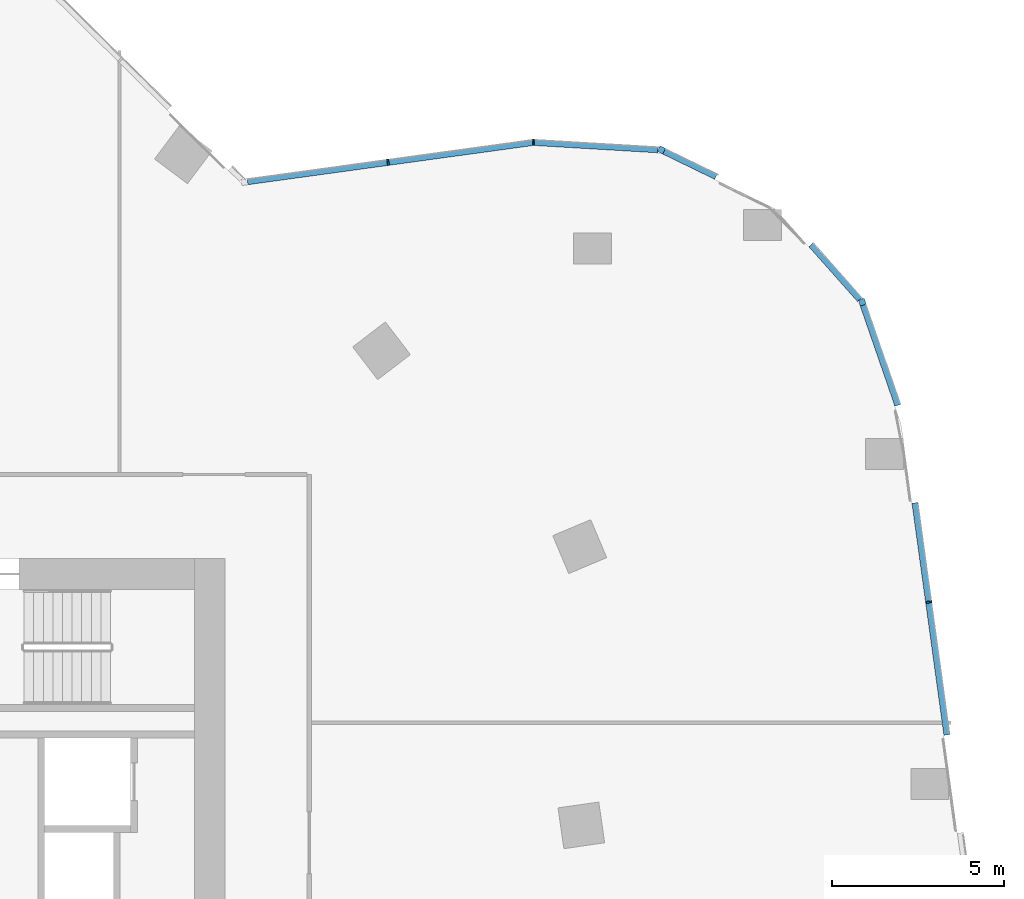
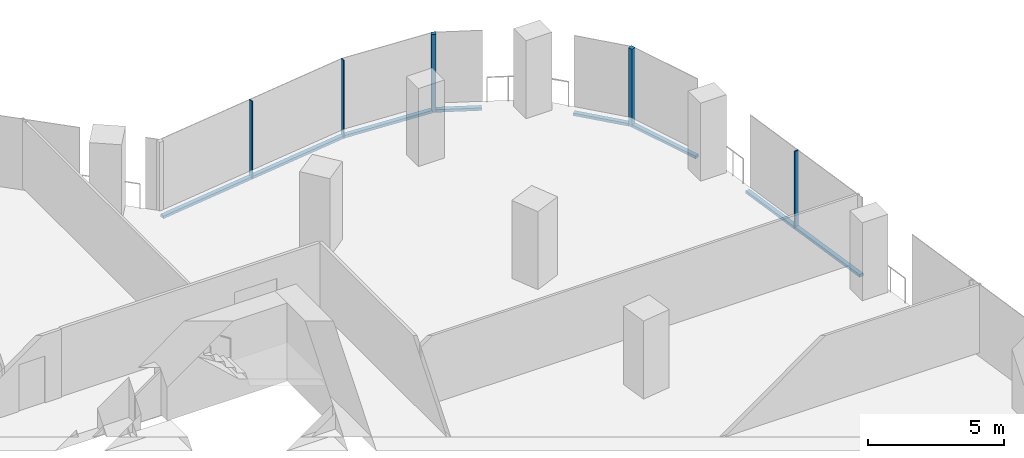
# One storey, part 11 of 29: 11 members, 6 elements without a shape of their own.
"""IFC4 building model written with IfcOpenShell, lengths in metres."""

from ifc_helpers import new_model, si_unit, direction, frame, origin, origin_2d, place, context, subcontext, project, spatial, rectangle, extrude, material, material_profile, profile_set, type_object, element, aggregate, save


model = new_model("IFC4")

# Units and contexts
model_context = context("Model", 3, precision=1e-05, world=origin(), true_north=direction((0.0, 1.0)))
body_context = subcontext(model_context, "Body", "Model", "MODEL_VIEW")
ifc_project = project(units=[si_unit("LENGTHUNIT", "METRE"), si_unit("AREAUNIT", "SQUARE_METRE"), si_unit("VOLUMEUNIT", "CUBIC_METRE"), si_unit("PLANEANGLEUNIT", "RADIAN"), si_unit("MASSUNIT", "GRAM", prefix="KILO")], contexts=[model_context])

# Site, building, storey
site_placement = place(None, origin())
site = spatial("IfcSite", under=ifc_project, at=site_placement, CompositionType="ELEMENT")
building_placement = place(site_placement, origin())
building = spatial("IfcBuilding", under=site, at=building_placement, Name="Orlundy Tower", CompositionType="ELEMENT")
storey_placement = place(building_placement, frame((0.0, 0.0, 188.60009765625)))
storey = spatial("IfcBuildingStorey", under=building, at=storey_placement, Name="L49", CompositionType="ELEMENT", Elevation=188.60009765625)

# Curtain wall, member
ifc_material_1 = material(Name="Aluminium bronze anodised", Category="aluminium")
curtain_wall_type = type_object("IfcCurtainWallType", Name="CW1 wall", PredefinedType="NOTDEFINED", material=ifc_material_1)
curtain_wall_1_placement = place(storey_placement, origin())
curtain_wall_1 = element("IfcCurtainWall", 1, at=curtain_wall_1_placement, inside=storey, type_object=curtain_wall_type, Name="CW1 run 08", PredefinedType="NOTDEFINED")
ifc_material_2 = material(Name="Aluminium bronze anodised", Category="aluminium")
ifc_material_profile_1 = material_profile(ifc_material_2, rectangle(XDim=0.179931640625, YDim=0.179931640625, at=origin_2d()), Name="CW1 corner post 180x180")
ifc_profile_set_1 = profile_set([ifc_material_profile_1], Name="Aluminium bronze anodised")
member_type_1 = type_object("IfcMemberType", Name="CW1 corner post 180x180", PredefinedType="MULLION", material=ifc_profile_set_1)
member_1_placement = place(storey_placement, frame((31.708251953125, 23.90673828125, -0.420166015625), z_axis=(0.0, 0.0, 1.0), x_axis=(0.43725937423, 0.89933544334, 0.0)))
member_1 = element("IfcMember", 2, at=member_1_placement, type_object=member_type_1, Name="CW1 mullion 29", PredefinedType="MULLION", context=body_context, shape_type="SweptSolid", body=[
    extrude(rectangle(XDim=0.179931640625, YDim=0.179931640625, at=origin_2d()), origin(), (0.0, 0.0, 1.0), 3.5),
])

curtain_wall_2_placement = place(storey_placement, origin())
curtain_wall_2 = element("IfcCurtainWall", 3, at=curtain_wall_2_placement, inside=storey, type_object=curtain_wall_type, Name="CW1 run 010", PredefinedType="NOTDEFINED")
member_2_placement = place(storey_placement, frame((37.55810546875, 19.471435546875, -0.420166015625), z_axis=(0.0, 0.0, 1.0), x_axis=(0.945034174317, 0.32697157273, 0.0)))
member_2 = element("IfcMember", 4, at=member_2_placement, type_object=member_type_1, Name="CW1 mullion 31", PredefinedType="MULLION", context=body_context, shape_type="SweptSolid", body=[
    extrude(rectangle(XDim=0.179931640625, YDim=0.179931640625, at=origin_2d()), origin(), (0.0, 0.0, 1.0), 3.5),
])

curtain_wall_3_placement = place(storey_placement, origin())
curtain_wall_3 = element("IfcCurtainWall", 5, at=curtain_wall_3_placement, inside=storey, type_object=curtain_wall_type, Name="CW1 run 06", PredefinedType="NOTDEFINED")
ifc_material_3 = material(Name="Aluminium bronze anodised", Category="aluminium")
ifc_material_profile_2 = material_profile(ifc_material_3, rectangle(XDim=0.179931640625, YDim=0.050048828125, at=origin_2d()), Name="CW1 mullion 50x180")
ifc_profile_set_2 = profile_set([ifc_material_profile_2], Name="Aluminium bronze anodised")
member_type_2 = type_object("IfcMemberType", Name="CW1 mullion 50x180", PredefinedType="MULLION", material=ifc_profile_set_2)
member_3_placement = place(storey_placement, frame((23.746337890625, 23.546142578125, -0.420166015625), z_axis=(0.0, 0.0, 1.0), x_axis=(-0.136185270904, 0.990683386349, 0.0)))
member_3 = element("IfcMember", 6, at=member_3_placement, type_object=member_type_2, Name="CW1 mullion 27", PredefinedType="MULLION", context=body_context, shape_type="SweptSolid", body=[
    extrude(rectangle(XDim=0.179931640625, YDim=0.050048828125, at=origin_2d()), origin(), (0.0, 0.0, 1.0), 3.5),
])

curtain_wall_4_placement = place(storey_placement, origin())
curtain_wall_4 = element("IfcCurtainWall", 7, at=curtain_wall_4_placement, inside=storey, type_object=curtain_wall_type, Name="CW1 run 07", PredefinedType="NOTDEFINED")
member_4_placement = place(storey_placement, frame((27.9814453125, 24.12841796875, -0.420166015625), z_axis=(0.0, 0.0, 1.0), x_axis=(-0.038600530581, 0.9992547218, 0.0)))
member_4 = element("IfcMember", 8, at=member_4_placement, type_object=member_type_2, Name="CW1 mullion 28", PredefinedType="MULLION", context=body_context, shape_type="SweptSolid", body=[
    extrude(rectangle(XDim=0.179931640625, YDim=0.050048828125, at=origin_2d()), origin(), (0.0, 0.0, 1.0), 3.5),
])

curtain_wall_5_placement = place(storey_placement, origin())
curtain_wall_5 = element("IfcCurtainWall", 9, at=curtain_wall_5_placement, inside=storey, type_object=curtain_wall_type, Name="CW1 run 011", PredefinedType="NOTDEFINED")
member_5_placement = place(storey_placement, frame((39.49560546875, 10.733154296875, -0.420166015625), z_axis=(0.0, 0.0, 1.0), x_axis=(0.990669519619, 0.13628610677, 0.0)))
member_5 = element("IfcMember", 10, at=member_5_placement, type_object=member_type_2, Name="CW1 mullion 33", PredefinedType="MULLION", context=body_context, shape_type="SweptSolid", body=[
    extrude(rectangle(XDim=0.179931640625, YDim=0.050048828125, at=origin_2d()), origin(), (0.0, 0.0, 1.0), 3.5),
])

# Member
ifc_material_4 = material(Name="Aluminium bronze anodised", Category="aluminium")
ifc_material_profile_3 = material_profile(ifc_material_4, rectangle(XDim=0.179931640625, YDim=0.1201171875, at=origin_2d()), Name="CW1 transom 180x120")
ifc_profile_set_3 = profile_set([ifc_material_profile_3], Name="Aluminium bronze anodised")
member_type_3 = type_object("IfcMemberType", Name="CW1 transom 180x120", PredefinedType="USERDEFINED", material=ifc_profile_set_3)
member_6_placement = place(storey_placement, frame((19.65283203125, 22.9833984375, -0.360107421875), z_axis=(0.990681394628, 0.136199758946, 0.0), x_axis=(-0.136199758946, 0.990681394628, 0.0)))
member_6 = element("IfcMember", 11, at=member_6_placement, type_object=member_type_3, Name="CW1 transom", ObjectType="TRANSOM", PredefinedType="USERDEFINED", context=body_context, shape_type="SweptSolid", body=[
    extrude(rectangle(XDim=0.179931640625, YDim=0.1201171875, at=origin_2d()), origin(), (0.0, 0.0, 1.0), 8.3818359375),
])

aggregate(curtain_wall_3, [member_3, member_6])

member_7_placement = place(storey_placement, frame((28.006591796875, 24.126953125, -0.360107421875), z_axis=(0.998236396732, -0.059364098912, 0.0), x_axis=(0.059364098912, 0.998236396732, 0.0)))
member_7 = element("IfcMember", 12, at=member_7_placement, type_object=member_type_3, Name="CW1 transom", ObjectType="TRANSOM", PredefinedType="USERDEFINED", context=body_context, shape_type="SweptSolid", body=[
    extrude(rectangle(XDim=0.179931640625, YDim=0.1201171875, at=origin_2d()), origin(), (0.0, 0.0, 1.0), 3.61083984375),
])

aggregate(curtain_wall_4, [member_4, member_7])

member_8_placement = place(storey_placement, frame((31.7890625, 23.867431640625, -0.360107421875), z_axis=(0.899366268242, -0.437195969273, 0.0), x_axis=(0.437195969273, 0.899366268242, 0.0)))
member_8 = element("IfcMember", 13, at=member_8_placement, type_object=member_type_3, Name="CW1 transom", ObjectType="TRANSOM", PredefinedType="USERDEFINED", context=body_context, shape_type="SweptSolid", body=[
    extrude(rectangle(XDim=0.179931640625, YDim=0.1201171875, at=origin_2d()), origin(), (0.0, 0.0, 1.0), 1.681396484375),
])

aggregate(curtain_wall_1, [member_1, member_8])

# Curtain wall, member
curtain_wall_6_placement = place(storey_placement, origin())
curtain_wall_6 = element("IfcCurtainWall", 14, at=curtain_wall_6_placement, inside=storey, type_object=curtain_wall_type, Name="CW1 run 09", PredefinedType="NOTDEFINED")
member_9_placement = place(storey_placement, frame((36.0693359375, 21.149169921875, -0.360107421875), z_axis=(0.663756302849, -0.747948908969, 0.0), x_axis=(0.747948908969, 0.663756302849, 0.0)))
member_9 = element("IfcMember", 15, at=member_9_placement, type_object=member_type_3, Name="CW1 transom", ObjectType="TRANSOM", PredefinedType="USERDEFINED", context=body_context, shape_type="SweptSolid", body=[
    extrude(rectangle(XDim=0.179931640625, YDim=0.1201171875, at=origin_2d()), origin(), (0.0, 0.0, 1.0), 2.145751953125),
])
aggregate(curtain_wall_6, [member_9])

# Member
member_10_placement = place(storey_placement, frame((37.587646484375, 19.38623046875, -0.360107421875), z_axis=(0.326980163156, -0.945031202079, 0.0), x_axis=(0.945031202079, 0.326980163156, 0.0)))
member_10 = element("IfcMember", 16, at=member_10_placement, type_object=member_type_3, Name="CW1 transom", ObjectType="TRANSOM", PredefinedType="USERDEFINED", context=body_context, shape_type="SweptSolid", body=[
    extrude(rectangle(XDim=0.179931640625, YDim=0.1201171875, at=origin_2d()), origin(), (0.0, 0.0, 1.0), 3.086669921875),
])

aggregate(curtain_wall_2, [member_2, member_10])

member_11_placement = place(storey_placement, frame((39.09765625, 13.626953125, -0.360107421875), z_axis=(0.136287658853, -0.990669306098, 0.0), x_axis=(0.990669306098, 0.136287658853, 0.0)))
member_11 = element("IfcMember", 17, at=member_11_placement, type_object=member_type_3, Name="CW1 transom", ObjectType="TRANSOM", PredefinedType="USERDEFINED", context=body_context, shape_type="SweptSolid", body=[
    extrude(rectangle(XDim=0.179931640625, YDim=0.1201171875, at=origin_2d()), origin(), (0.0, 0.0, 1.0), 6.826904296875),
])

aggregate(curtain_wall_5, [member_5, member_11])

save(model, "model.ifc")
